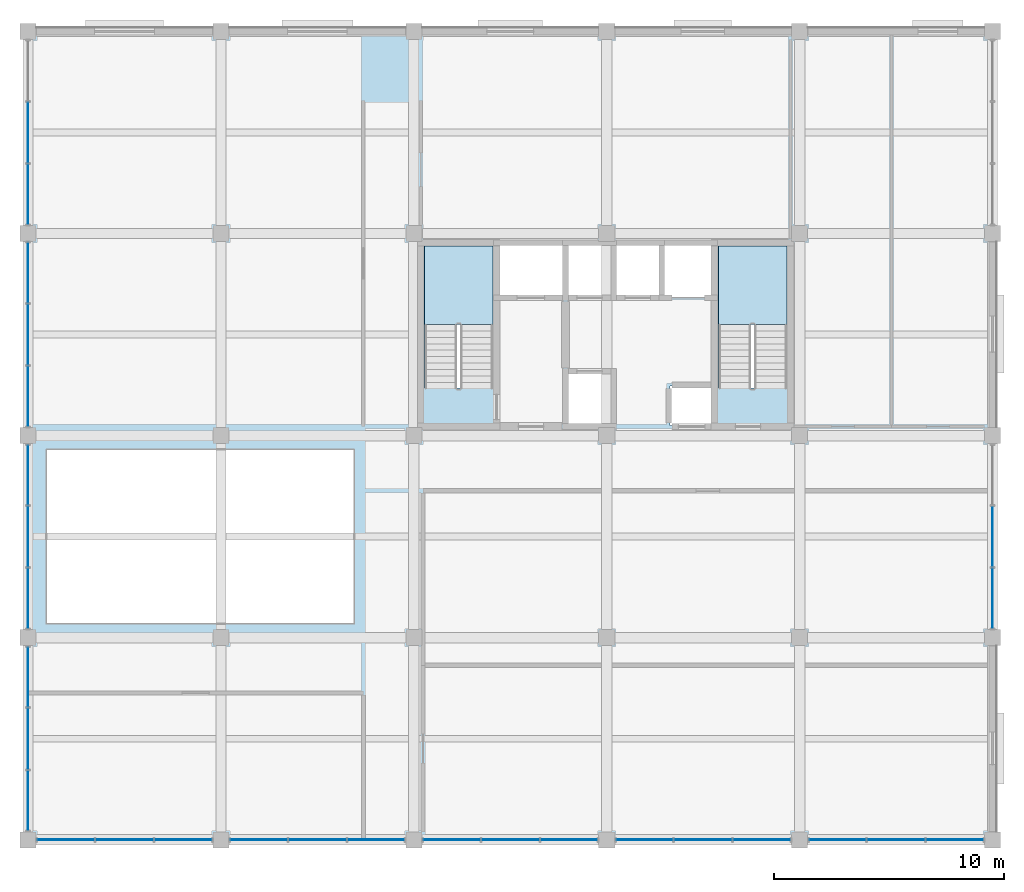
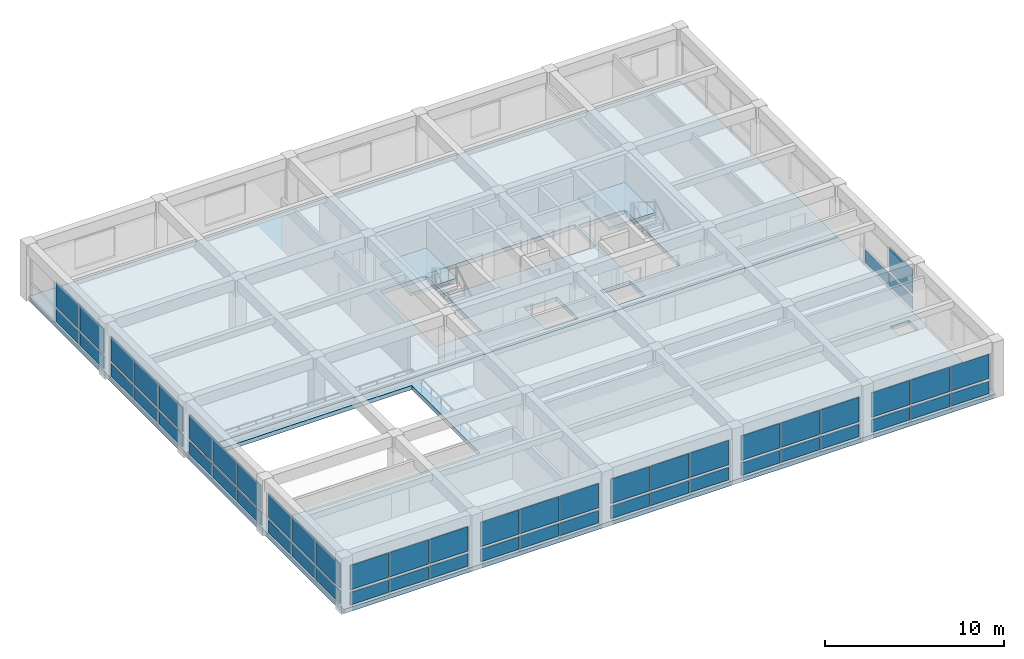
# One storey, part 8 of 13: 55 plates, 4 slabs, 12 elements without a shape of their own.
"""IFC4 building model written with IfcOpenShell, lengths in metres."""

from ifc_helpers import new_model, si_unit, direction, frame, origin, origin_2d, place, context, subcontext, project, spatial, polyline, rectangle, outline, extrude, material, layer, layer_set, type_object, element, aggregate, save


model = new_model("IFC4")

# Units and contexts
model_context = context("Model", 3, precision=1e-05, world=origin(), true_north=direction((0.0, 1.0)))
body_context = subcontext(model_context, "Body", "Model", "MODEL_VIEW")
ifc_project = project(units=[si_unit("LENGTHUNIT", "METRE"), si_unit("AREAUNIT", "SQUARE_METRE"), si_unit("VOLUMEUNIT", "CUBIC_METRE"), si_unit("PLANEANGLEUNIT", "RADIAN"), si_unit("MASSUNIT", "GRAM", prefix="KILO")], contexts=[model_context])

# Site, building, storey
site_placement = place(None, origin())
site = spatial("IfcSite", under=ifc_project, at=site_placement, CompositionType="ELEMENT")
building_placement = place(site_placement, origin())
building = spatial("IfcBuilding", under=site, at=building_placement, Name="Kemercrest Conservatory and Botanical Centre", CompositionType="ELEMENT")
storey_placement = place(building_placement, frame((0.0, 0.0, 40.60009765625)))
storey = spatial("IfcBuildingStorey", under=building, at=storey_placement, Name="L10", CompositionType="ELEMENT", Elevation=40.60009765625)

# Curtain wall, plates
ifc_material_1 = material(Name="Thermally broken aluminium and triple low-e glazing", Category="aluminium")
curtain_wall_type_1 = type_object("IfcCurtainWallType", Name="CW-22", PredefinedType="USERDEFINED", material=ifc_material_1)
curtain_wall_1_placement = place(storey_placement, origin())
curtain_wall_1 = element("IfcCurtainWall", 1, at=curtain_wall_1_placement, inside=storey, type_object=curtain_wall_type_1, Name="Unitised curtain wall CW-22 (CW:L10:V4-111)", ObjectType="UNITISED CURTAIN WALL", PredefinedType="USERDEFINED")
ifc_material_2 = material(Name="Triple low-e argon insulated glazing unit", Category="glass")
ifc_layer_1 = layer(ifc_material_2, 0.035888671875)
ifc_layer_set_1 = layer_set([ifc_layer_1], Name="Triple low-e argon insulated glazing unit")
plate_type = type_object("IfcPlateType", Name="CW-PNL036", PredefinedType="CURTAIN_PANEL", material=ifc_layer_set_1)
plate_1_placement = place(storey_placement, frame((135.646240234375, 87.199951171875, 0.179931640625), z_axis=(0.0, 0.0, 1.0), x_axis=(1.0, 0.0, 0.0)))
plate_1 = element("IfcPlate", 2, at=plate_1_placement, type_object=plate_type, Name="CW-22 panel 1.1", PredefinedType="CURTAIN_PANEL", context=body_context, shape_type="SweptSolid", body=[
    extrude(rectangle(XDim=2.472412109375, YDim=0.035888671875, at=origin_2d()), origin(), (0.0, 0.0, 1.0), 0.85009765625),
])
plate_2_placement = place(storey_placement, frame((135.646240234375, 87.199951171875, 1.2099609375), z_axis=(0.0, 0.0, 1.0), x_axis=(1.0, 0.0, 0.0)))
plate_2 = element("IfcPlate", 3, at=plate_2_placement, type_object=plate_type, Name="CW-22 panel 1.2", PredefinedType="CURTAIN_PANEL", context=body_context, shape_type="SweptSolid", body=[
    extrude(rectangle(XDim=2.472412109375, YDim=0.035888671875, at=origin_2d()), origin(), (0.0, 0.0, 1.0), 1.6650390625),
])
plate_3_placement = place(storey_placement, frame((138.199951171875, 87.199951171875, 0.179931640625), z_axis=(0.0, 0.0, 1.0), x_axis=(1.0, 0.0, 0.0)))
plate_3 = element("IfcPlate", 4, at=plate_3_placement, type_object=plate_type, Name="CW-22 panel 2.1", PredefinedType="CURTAIN_PANEL", context=body_context, shape_type="SweptSolid", body=[
    extrude(rectangle(XDim=2.5048828125, YDim=0.035888671875, at=origin_2d()), origin(), (0.0, 0.0, 1.0), 0.85009765625),
])
plate_4_placement = place(storey_placement, frame((138.199951171875, 87.199951171875, 1.2099609375), z_axis=(0.0, 0.0, 1.0), x_axis=(1.0, 0.0, 0.0)))
plate_4 = element("IfcPlate", 5, at=plate_4_placement, type_object=plate_type, Name="CW-22 panel 2.2", PredefinedType="CURTAIN_PANEL", context=body_context, shape_type="SweptSolid", body=[
    extrude(rectangle(XDim=2.5048828125, YDim=0.035888671875, at=origin_2d()), origin(), (0.0, 0.0, 1.0), 1.6650390625),
])
plate_5_placement = place(storey_placement, frame((140.753662109375, 87.199951171875, 0.179931640625), z_axis=(0.0, 0.0, 1.0), x_axis=(1.0, 0.0, 0.0)))
plate_5 = element("IfcPlate", 6, at=plate_5_placement, type_object=plate_type, Name="CW-22 panel 3.1", PredefinedType="CURTAIN_PANEL", context=body_context, shape_type="SweptSolid", body=[
    extrude(rectangle(XDim=2.472412109375, YDim=0.035888671875, at=origin_2d()), origin(), (0.0, 0.0, 1.0), 0.85009765625),
])
plate_6_placement = place(storey_placement, frame((140.753662109375, 87.199951171875, 1.2099609375), z_axis=(0.0, 0.0, 1.0), x_axis=(1.0, 0.0, 0.0)))
plate_6 = element("IfcPlate", 7, at=plate_6_placement, type_object=plate_type, Name="CW-22 panel 3.2", PredefinedType="CURTAIN_PANEL", context=body_context, shape_type="SweptSolid", body=[
    extrude(rectangle(XDim=2.472412109375, YDim=0.035888671875, at=origin_2d()), origin(), (0.0, 0.0, 1.0), 1.6650390625),
])
aggregate(curtain_wall_1, [plate_1, plate_2, plate_3, plate_4, plate_5, plate_6])

curtain_wall_type_2 = type_object("IfcCurtainWallType", Name="CW-23", PredefinedType="USERDEFINED", material=ifc_material_1)
curtain_wall_2_placement = place(storey_placement, origin())
curtain_wall_2 = element("IfcCurtainWall", 8, at=curtain_wall_2_placement, inside=storey, type_object=curtain_wall_type_2, Name="Unitised curtain wall CW-23 (CW:L10:V4-112)", ObjectType="UNITISED CURTAIN WALL", PredefinedType="USERDEFINED")
plate_7_placement = place(storey_placement, frame((144.046142578125, 87.199951171875, 0.179931640625), z_axis=(0.0, 0.0, 1.0), x_axis=(1.0, 0.0, 0.0)))
plate_7 = element("IfcPlate", 9, at=plate_7_placement, type_object=plate_type, Name="CW-23 panel 1.1", PredefinedType="CURTAIN_PANEL", context=body_context, shape_type="SweptSolid", body=[
    extrude(rectangle(XDim=2.472412109375, YDim=0.035888671875, at=origin_2d()), origin(), (0.0, 0.0, 1.0), 0.85009765625),
])
plate_8_placement = place(storey_placement, frame((144.046142578125, 87.199951171875, 1.2099609375), z_axis=(0.0, 0.0, 1.0), x_axis=(1.0, 0.0, 0.0)))
plate_8 = element("IfcPlate", 10, at=plate_8_placement, type_object=plate_type, Name="CW-23 panel 1.2", PredefinedType="CURTAIN_PANEL", context=body_context, shape_type="SweptSolid", body=[
    extrude(rectangle(XDim=2.472412109375, YDim=0.035888671875, at=origin_2d()), origin(), (0.0, 0.0, 1.0), 1.6650390625),
])
plate_9_placement = place(storey_placement, frame((146.60009765625, 87.199951171875, 0.179931640625), z_axis=(0.0, 0.0, 1.0), x_axis=(1.0, 0.0, 0.0)))
plate_9 = element("IfcPlate", 11, at=plate_9_placement, type_object=plate_type, Name="CW-23 panel 2.1", PredefinedType="CURTAIN_PANEL", context=body_context, shape_type="SweptSolid", body=[
    extrude(rectangle(XDim=2.5048828125, YDim=0.035888671875, at=origin_2d()), origin(), (0.0, 0.0, 1.0), 0.85009765625),
])
plate_10_placement = place(storey_placement, frame((146.60009765625, 87.199951171875, 1.2099609375), z_axis=(0.0, 0.0, 1.0), x_axis=(1.0, 0.0, 0.0)))
plate_10 = element("IfcPlate", 12, at=plate_10_placement, type_object=plate_type, Name="CW-23 panel 2.2", PredefinedType="CURTAIN_PANEL", context=body_context, shape_type="SweptSolid", body=[
    extrude(rectangle(XDim=2.5048828125, YDim=0.035888671875, at=origin_2d()), origin(), (0.0, 0.0, 1.0), 1.6650390625),
])
plate_11_placement = place(storey_placement, frame((149.15380859375, 87.199951171875, 0.179931640625), z_axis=(0.0, 0.0, 1.0), x_axis=(1.0, 0.0, 0.0)))
plate_11 = element("IfcPlate", 13, at=plate_11_placement, type_object=plate_type, Name="CW-23 panel 3.1", PredefinedType="CURTAIN_PANEL", context=body_context, shape_type="SweptSolid", body=[
    extrude(rectangle(XDim=2.472412109375, YDim=0.035888671875, at=origin_2d()), origin(), (0.0, 0.0, 1.0), 0.85009765625),
])
plate_12_placement = place(storey_placement, frame((149.15380859375, 87.199951171875, 1.2099609375), z_axis=(0.0, 0.0, 1.0), x_axis=(1.0, 0.0, 0.0)))
plate_12 = element("IfcPlate", 14, at=plate_12_placement, type_object=plate_type, Name="CW-23 panel 3.2", PredefinedType="CURTAIN_PANEL", context=body_context, shape_type="SweptSolid", body=[
    extrude(rectangle(XDim=2.472412109375, YDim=0.035888671875, at=origin_2d()), origin(), (0.0, 0.0, 1.0), 1.6650390625),
])
aggregate(curtain_wall_2, [plate_7, plate_8, plate_9, plate_10, plate_11, plate_12])

curtain_wall_type_3 = type_object("IfcCurtainWallType", Name="CW-24", PredefinedType="USERDEFINED", material=ifc_material_1)
curtain_wall_3_placement = place(storey_placement, origin())
curtain_wall_3 = element("IfcCurtainWall", 15, at=curtain_wall_3_placement, inside=storey, type_object=curtain_wall_type_3, Name="Unitised curtain wall CW-24 (CW:L10:V4-113)", ObjectType="UNITISED CURTAIN WALL", PredefinedType="USERDEFINED")
plate_13_placement = place(storey_placement, frame((152.4462890625, 87.199951171875, 0.179931640625), z_axis=(0.0, 0.0, 1.0), x_axis=(1.0, 0.0, 0.0)))
plate_13 = element("IfcPlate", 16, at=plate_13_placement, type_object=plate_type, Name="CW-24 panel 1.1", PredefinedType="CURTAIN_PANEL", context=body_context, shape_type="SweptSolid", body=[
    extrude(rectangle(XDim=2.472412109375, YDim=0.035888671875, at=origin_2d()), origin(), (0.0, 0.0, 1.0), 0.85009765625),
])
plate_14_placement = place(storey_placement, frame((152.4462890625, 87.199951171875, 1.2099609375), z_axis=(0.0, 0.0, 1.0), x_axis=(1.0, 0.0, 0.0)))
plate_14 = element("IfcPlate", 17, at=plate_14_placement, type_object=plate_type, Name="CW-24 panel 1.2", PredefinedType="CURTAIN_PANEL", context=body_context, shape_type="SweptSolid", body=[
    extrude(rectangle(XDim=2.472412109375, YDim=0.035888671875, at=origin_2d()), origin(), (0.0, 0.0, 1.0), 1.6650390625),
])
plate_15_placement = place(storey_placement, frame((155.0, 87.199951171875, 0.179931640625), z_axis=(0.0, 0.0, 1.0), x_axis=(1.0, 0.0, 0.0)))
plate_15 = element("IfcPlate", 18, at=plate_15_placement, type_object=plate_type, Name="CW-24 panel 2.1", PredefinedType="CURTAIN_PANEL", context=body_context, shape_type="SweptSolid", body=[
    extrude(rectangle(XDim=2.5048828125, YDim=0.035888671875, at=origin_2d()), origin(), (0.0, 0.0, 1.0), 0.85009765625),
])
plate_16_placement = place(storey_placement, frame((155.0, 87.199951171875, 1.2099609375), z_axis=(0.0, 0.0, 1.0), x_axis=(1.0, 0.0, 0.0)))
plate_16 = element("IfcPlate", 19, at=plate_16_placement, type_object=plate_type, Name="CW-24 panel 2.2", PredefinedType="CURTAIN_PANEL", context=body_context, shape_type="SweptSolid", body=[
    extrude(rectangle(XDim=2.5048828125, YDim=0.035888671875, at=origin_2d()), origin(), (0.0, 0.0, 1.0), 1.6650390625),
])
plate_17_placement = place(storey_placement, frame((157.5537109375, 87.199951171875, 0.179931640625), z_axis=(0.0, 0.0, 1.0), x_axis=(1.0, 0.0, 0.0)))
plate_17 = element("IfcPlate", 20, at=plate_17_placement, type_object=plate_type, Name="CW-24 panel 3.1", PredefinedType="CURTAIN_PANEL", context=body_context, shape_type="SweptSolid", body=[
    extrude(rectangle(XDim=2.472412109375, YDim=0.035888671875, at=origin_2d()), origin(), (0.0, 0.0, 1.0), 0.85009765625),
])
plate_18_placement = place(storey_placement, frame((157.5537109375, 87.199951171875, 1.2099609375), z_axis=(0.0, 0.0, 1.0), x_axis=(1.0, 0.0, 0.0)))
plate_18 = element("IfcPlate", 21, at=plate_18_placement, type_object=plate_type, Name="CW-24 panel 3.2", PredefinedType="CURTAIN_PANEL", context=body_context, shape_type="SweptSolid", body=[
    extrude(rectangle(XDim=2.472412109375, YDim=0.035888671875, at=origin_2d()), origin(), (0.0, 0.0, 1.0), 1.6650390625),
])
aggregate(curtain_wall_3, [plate_13, plate_14, plate_15, plate_16, plate_17, plate_18])

curtain_wall_type_4 = type_object("IfcCurtainWallType", Name="CW-25", PredefinedType="USERDEFINED", material=ifc_material_1)
curtain_wall_4_placement = place(storey_placement, origin())
curtain_wall_4 = element("IfcCurtainWall", 22, at=curtain_wall_4_placement, inside=storey, type_object=curtain_wall_type_4, Name="Unitised curtain wall CW-25 (CW:L10:V4-114)", ObjectType="UNITISED CURTAIN WALL", PredefinedType="USERDEFINED")
plate_19_placement = place(storey_placement, frame((160.84619140625, 87.199951171875, 0.179931640625), z_axis=(0.0, 0.0, 1.0), x_axis=(1.0, 0.0, 0.0)))
plate_19 = element("IfcPlate", 23, at=plate_19_placement, type_object=plate_type, Name="CW-25 panel 1.1", PredefinedType="CURTAIN_PANEL", context=body_context, shape_type="SweptSolid", body=[
    extrude(rectangle(XDim=2.472412109375, YDim=0.035888671875, at=origin_2d()), origin(), (0.0, 0.0, 1.0), 0.85009765625),
])
plate_20_placement = place(storey_placement, frame((160.84619140625, 87.199951171875, 1.2099609375), z_axis=(0.0, 0.0, 1.0), x_axis=(1.0, 0.0, 0.0)))
plate_20 = element("IfcPlate", 24, at=plate_20_placement, type_object=plate_type, Name="CW-25 panel 1.2", PredefinedType="CURTAIN_PANEL", context=body_context, shape_type="SweptSolid", body=[
    extrude(rectangle(XDim=2.472412109375, YDim=0.035888671875, at=origin_2d()), origin(), (0.0, 0.0, 1.0), 1.6650390625),
])
plate_21_placement = place(storey_placement, frame((163.39990234375, 87.199951171875, 0.179931640625), z_axis=(0.0, 0.0, 1.0), x_axis=(1.0, 0.0, 0.0)))
plate_21 = element("IfcPlate", 25, at=plate_21_placement, type_object=plate_type, Name="CW-25 panel 2.1", PredefinedType="CURTAIN_PANEL", context=body_context, shape_type="SweptSolid", body=[
    extrude(rectangle(XDim=2.5048828125, YDim=0.035888671875, at=origin_2d()), origin(), (0.0, 0.0, 1.0), 0.85009765625),
])
plate_22_placement = place(storey_placement, frame((163.39990234375, 87.199951171875, 1.2099609375), z_axis=(0.0, 0.0, 1.0), x_axis=(1.0, 0.0, 0.0)))
plate_22 = element("IfcPlate", 26, at=plate_22_placement, type_object=plate_type, Name="CW-25 panel 2.2", PredefinedType="CURTAIN_PANEL", context=body_context, shape_type="SweptSolid", body=[
    extrude(rectangle(XDim=2.5048828125, YDim=0.035888671875, at=origin_2d()), origin(), (0.0, 0.0, 1.0), 1.6650390625),
])
plate_23_placement = place(storey_placement, frame((165.953857421875, 87.199951171875, 0.179931640625), z_axis=(0.0, 0.0, 1.0), x_axis=(1.0, 0.0, 0.0)))
plate_23 = element("IfcPlate", 27, at=plate_23_placement, type_object=plate_type, Name="CW-25 panel 3.1", PredefinedType="CURTAIN_PANEL", context=body_context, shape_type="SweptSolid", body=[
    extrude(rectangle(XDim=2.472412109375, YDim=0.035888671875, at=origin_2d()), origin(), (0.0, 0.0, 1.0), 0.85009765625),
])
plate_24_placement = place(storey_placement, frame((165.953857421875, 87.199951171875, 1.2099609375), z_axis=(0.0, 0.0, 1.0), x_axis=(1.0, 0.0, 0.0)))
plate_24 = element("IfcPlate", 28, at=plate_24_placement, type_object=plate_type, Name="CW-25 panel 3.2", PredefinedType="CURTAIN_PANEL", context=body_context, shape_type="SweptSolid", body=[
    extrude(rectangle(XDim=2.472412109375, YDim=0.035888671875, at=origin_2d()), origin(), (0.0, 0.0, 1.0), 1.6650390625),
])
aggregate(curtain_wall_4, [plate_19, plate_20, plate_21, plate_22, plate_23, plate_24])

curtain_wall_type_5 = type_object("IfcCurtainWallType", Name="CW-26", PredefinedType="USERDEFINED", material=ifc_material_1)
curtain_wall_5_placement = place(storey_placement, origin())
curtain_wall_5 = element("IfcCurtainWall", 29, at=curtain_wall_5_placement, inside=storey, type_object=curtain_wall_type_5, Name="Unitised curtain wall CW-26 (CW:L10:V4-115)", ObjectType="UNITISED CURTAIN WALL", PredefinedType="USERDEFINED")
plate_25_placement = place(storey_placement, frame((169.246337890625, 87.199951171875, 0.179931640625), z_axis=(0.0, 0.0, 1.0), x_axis=(1.0, 0.0, 0.0)))
plate_25 = element("IfcPlate", 30, at=plate_25_placement, type_object=plate_type, Name="CW-26 panel 1.1", PredefinedType="CURTAIN_PANEL", context=body_context, shape_type="SweptSolid", body=[
    extrude(rectangle(XDim=2.472412109375, YDim=0.035888671875, at=origin_2d()), origin(), (0.0, 0.0, 1.0), 0.85009765625),
])
plate_26_placement = place(storey_placement, frame((169.246337890625, 87.199951171875, 1.2099609375), z_axis=(0.0, 0.0, 1.0), x_axis=(1.0, 0.0, 0.0)))
plate_26 = element("IfcPlate", 31, at=plate_26_placement, type_object=plate_type, Name="CW-26 panel 1.2", PredefinedType="CURTAIN_PANEL", context=body_context, shape_type="SweptSolid", body=[
    extrude(rectangle(XDim=2.472412109375, YDim=0.035888671875, at=origin_2d()), origin(), (0.0, 0.0, 1.0), 1.6650390625),
])
plate_27_placement = place(storey_placement, frame((171.800048828125, 87.199951171875, 0.179931640625), z_axis=(0.0, 0.0, 1.0), x_axis=(1.0, 0.0, 0.0)))
plate_27 = element("IfcPlate", 32, at=plate_27_placement, type_object=plate_type, Name="CW-26 panel 2.1", PredefinedType="CURTAIN_PANEL", context=body_context, shape_type="SweptSolid", body=[
    extrude(rectangle(XDim=2.5048828125, YDim=0.035888671875, at=origin_2d()), origin(), (0.0, 0.0, 1.0), 0.85009765625),
])
plate_28_placement = place(storey_placement, frame((171.800048828125, 87.199951171875, 1.2099609375), z_axis=(0.0, 0.0, 1.0), x_axis=(1.0, 0.0, 0.0)))
plate_28 = element("IfcPlate", 33, at=plate_28_placement, type_object=plate_type, Name="CW-26 panel 2.2", PredefinedType="CURTAIN_PANEL", context=body_context, shape_type="SweptSolid", body=[
    extrude(rectangle(XDim=2.5048828125, YDim=0.035888671875, at=origin_2d()), origin(), (0.0, 0.0, 1.0), 1.6650390625),
])
plate_29_placement = place(storey_placement, frame((174.353759765625, 87.199951171875, 0.179931640625), z_axis=(0.0, 0.0, 1.0), x_axis=(1.0, 0.0, 0.0)))
plate_29 = element("IfcPlate", 34, at=plate_29_placement, type_object=plate_type, Name="CW-26 panel 3.1", PredefinedType="CURTAIN_PANEL", context=body_context, shape_type="SweptSolid", body=[
    extrude(rectangle(XDim=2.472412109375, YDim=0.035888671875, at=origin_2d()), origin(), (0.0, 0.0, 1.0), 0.85009765625),
])
plate_30_placement = place(storey_placement, frame((174.353759765625, 87.199951171875, 1.2099609375), z_axis=(0.0, 0.0, 1.0), x_axis=(1.0, 0.0, 0.0)))
plate_30 = element("IfcPlate", 35, at=plate_30_placement, type_object=plate_type, Name="CW-26 panel 3.2", PredefinedType="CURTAIN_PANEL", context=body_context, shape_type="SweptSolid", body=[
    extrude(rectangle(XDim=2.472412109375, YDim=0.035888671875, at=origin_2d()), origin(), (0.0, 0.0, 1.0), 1.6650390625),
])
aggregate(curtain_wall_5, [plate_25, plate_26, plate_27, plate_28, plate_29, plate_30])

curtain_wall_type_6 = type_object("IfcCurtainWallType", Name="CW-27", PredefinedType="USERDEFINED", material=ifc_material_1)
curtain_wall_6_placement = place(storey_placement, origin())
curtain_wall_6 = element("IfcCurtainWall", 36, at=curtain_wall_6_placement, inside=storey, type_object=curtain_wall_type_6, Name="Unitised curtain wall CW-27 (CW:L10:V4-116)", ObjectType="UNITISED CURTAIN WALL", PredefinedType="USERDEFINED")
plate_31_placement = place(storey_placement, frame((176.0, 97.712890625, 0.179931640625), z_axis=(0.0, 0.0, 1.0), x_axis=(0.0, 1.0, 0.0)))
plate_31 = element("IfcPlate", 37, at=plate_31_placement, type_object=plate_type, Name="CW-27 panel 1.1", PredefinedType="CURTAIN_PANEL", context=body_context, shape_type="SweptSolid", body=[
    extrude(rectangle(XDim=2.605712890625, YDim=0.035888671875, at=origin_2d()), origin(), (0.0, 0.0, 1.0), 0.85009765625),
])
plate_32_placement = place(storey_placement, frame((176.0, 97.712890625, 1.2099609375), z_axis=(0.0, 0.0, 1.0), x_axis=(0.0, 1.0, 0.0)))
plate_32 = element("IfcPlate", 38, at=plate_32_placement, type_object=plate_type, Name="CW-27 panel 1.2", PredefinedType="CURTAIN_PANEL", context=body_context, shape_type="SweptSolid", body=[
    extrude(rectangle(XDim=2.605712890625, YDim=0.035888671875, at=origin_2d()), origin(), (0.0, 0.0, 1.0), 1.6650390625),
])
plate_33_placement = place(storey_placement, frame((176.0, 100.39990234375, 0.179931640625), z_axis=(0.0, 0.0, 1.0), x_axis=(0.0, 1.0, 0.0)))
plate_33 = element("IfcPlate", 39, at=plate_33_placement, type_object=plate_type, Name="CW-27 panel 2.1", PredefinedType="CURTAIN_PANEL", context=body_context, shape_type="SweptSolid", body=[
    extrude(rectangle(XDim=2.638427734375, YDim=0.035888671875, at=origin_2d()), origin(), (0.0, 0.0, 1.0), 0.85009765625),
])
aggregate(curtain_wall_6, [plate_31, plate_32, plate_33])

curtain_wall_type_7 = type_object("IfcCurtainWallType", Name="CW-29", PredefinedType="USERDEFINED", material=ifc_material_1)
curtain_wall_7_placement = place(storey_placement, origin())
curtain_wall_7 = element("IfcCurtainWall", 40, at=curtain_wall_7_placement, inside=storey, type_object=curtain_wall_type_7, Name="Unitised curtain wall CW-29 (CW:L10:V4-118)", ObjectType="UNITISED CURTAIN WALL", PredefinedType="USERDEFINED")
plate_34_placement = place(storey_placement, frame((134.0, 118.0, 0.179931640625), z_axis=(0.0, 0.0, 1.0), x_axis=(0.0, -1.0, 0.0)))
plate_34 = element("IfcPlate", 41, at=plate_34_placement, type_object=plate_type, Name="CW-29 panel 2.1", PredefinedType="CURTAIN_PANEL", context=body_context, shape_type="SweptSolid", body=[
    extrude(rectangle(XDim=2.638427734375, YDim=0.035888671875, at=origin_2d()), origin(), (0.0, 0.0, 1.0), 0.85009765625),
])
plate_35_placement = place(storey_placement, frame((134.0, 118.0, 1.2099609375), z_axis=(0.0, 0.0, 1.0), x_axis=(0.0, -1.0, 0.0)))
plate_35 = element("IfcPlate", 42, at=plate_35_placement, type_object=plate_type, Name="CW-29 panel 2.2", PredefinedType="CURTAIN_PANEL", context=body_context, shape_type="SweptSolid", body=[
    extrude(rectangle(XDim=2.638427734375, YDim=0.035888671875, at=origin_2d()), origin(), (0.0, 0.0, 1.0), 1.6650390625),
])
plate_36_placement = place(storey_placement, frame((134.0, 115.31298828125, 0.179931640625), z_axis=(0.0, 0.0, 1.0), x_axis=(0.0, -1.0, 0.0)))
plate_36 = element("IfcPlate", 43, at=plate_36_placement, type_object=plate_type, Name="CW-29 panel 3.1", PredefinedType="CURTAIN_PANEL", context=body_context, shape_type="SweptSolid", body=[
    extrude(rectangle(XDim=2.605712890625, YDim=0.035888671875, at=origin_2d()), origin(), (0.0, 0.0, 1.0), 0.85009765625),
])
plate_37_placement = place(storey_placement, frame((134.0, 115.31298828125, 1.2099609375), z_axis=(0.0, 0.0, 1.0), x_axis=(0.0, -1.0, 0.0)))
plate_37 = element("IfcPlate", 44, at=plate_37_placement, type_object=plate_type, Name="CW-29 panel 3.2", PredefinedType="CURTAIN_PANEL", context=body_context, shape_type="SweptSolid", body=[
    extrude(rectangle(XDim=2.605712890625, YDim=0.035888671875, at=origin_2d()), origin(), (0.0, 0.0, 1.0), 1.6650390625),
])
aggregate(curtain_wall_7, [plate_34, plate_35, plate_36, plate_37])

curtain_wall_type_8 = type_object("IfcCurtainWallType", Name="CW-30", PredefinedType="USERDEFINED", material=ifc_material_1)
curtain_wall_8_placement = place(storey_placement, origin())
curtain_wall_8 = element("IfcCurtainWall", 45, at=curtain_wall_8_placement, inside=storey, type_object=curtain_wall_type_8, Name="Unitised curtain wall CW-30 (CW:L10:V4-119)", ObjectType="UNITISED CURTAIN WALL", PredefinedType="USERDEFINED")
plate_38_placement = place(storey_placement, frame((134.0, 111.886962890625, 0.179931640625), z_axis=(0.0, 0.0, 1.0), x_axis=(0.0, -1.0, 0.0)))
plate_38 = element("IfcPlate", 46, at=plate_38_placement, type_object=plate_type, Name="CW-30 panel 1.1", PredefinedType="CURTAIN_PANEL", context=body_context, shape_type="SweptSolid", body=[
    extrude(rectangle(XDim=2.605712890625, YDim=0.035888671875, at=origin_2d()), origin(), (0.0, 0.0, 1.0), 0.85009765625),
])
plate_39_placement = place(storey_placement, frame((134.0, 111.886962890625, 1.2099609375), z_axis=(0.0, 0.0, 1.0), x_axis=(0.0, -1.0, 0.0)))
plate_39 = element("IfcPlate", 47, at=plate_39_placement, type_object=plate_type, Name="CW-30 panel 1.2", PredefinedType="CURTAIN_PANEL", context=body_context, shape_type="SweptSolid", body=[
    extrude(rectangle(XDim=2.605712890625, YDim=0.035888671875, at=origin_2d()), origin(), (0.0, 0.0, 1.0), 1.6650390625),
])
plate_40_placement = place(storey_placement, frame((134.0, 109.199951171875, 0.179931640625), z_axis=(0.0, 0.0, 1.0), x_axis=(0.0, -1.0, 0.0)))
plate_40 = element("IfcPlate", 48, at=plate_40_placement, type_object=plate_type, Name="CW-30 panel 2.1", PredefinedType="CURTAIN_PANEL", context=body_context, shape_type="SweptSolid", body=[
    extrude(rectangle(XDim=2.638427734375, YDim=0.035888671875, at=origin_2d()), origin(), (0.0, 0.0, 1.0), 0.85009765625),
])
plate_41_placement = place(storey_placement, frame((134.0, 109.199951171875, 1.2099609375), z_axis=(0.0, 0.0, 1.0), x_axis=(0.0, -1.0, 0.0)))
plate_41 = element("IfcPlate", 49, at=plate_41_placement, type_object=plate_type, Name="CW-30 panel 2.2", PredefinedType="CURTAIN_PANEL", context=body_context, shape_type="SweptSolid", body=[
    extrude(rectangle(XDim=2.638427734375, YDim=0.035888671875, at=origin_2d()), origin(), (0.0, 0.0, 1.0), 1.6650390625),
])
plate_42_placement = place(storey_placement, frame((134.0, 106.512939453125, 0.179931640625), z_axis=(0.0, 0.0, 1.0), x_axis=(0.0, -1.0, 0.0)))
plate_42 = element("IfcPlate", 50, at=plate_42_placement, type_object=plate_type, Name="CW-30 panel 3.1", PredefinedType="CURTAIN_PANEL", context=body_context, shape_type="SweptSolid", body=[
    extrude(rectangle(XDim=2.605712890625, YDim=0.035888671875, at=origin_2d()), origin(), (0.0, 0.0, 1.0), 0.85009765625),
])
plate_43_placement = place(storey_placement, frame((134.0, 106.512939453125, 1.2099609375), z_axis=(0.0, 0.0, 1.0), x_axis=(0.0, -1.0, 0.0)))
plate_43 = element("IfcPlate", 51, at=plate_43_placement, type_object=plate_type, Name="CW-30 panel 3.2", PredefinedType="CURTAIN_PANEL", context=body_context, shape_type="SweptSolid", body=[
    extrude(rectangle(XDim=2.605712890625, YDim=0.035888671875, at=origin_2d()), origin(), (0.0, 0.0, 1.0), 1.6650390625),
])
aggregate(curtain_wall_8, [plate_38, plate_39, plate_40, plate_41, plate_42, plate_43])

curtain_wall_type_9 = type_object("IfcCurtainWallType", Name="CW-01", PredefinedType="USERDEFINED", material=ifc_material_1)
curtain_wall_9_placement = place(storey_placement, origin())
curtain_wall_9 = element("IfcCurtainWall", 52, at=curtain_wall_9_placement, inside=storey, type_object=curtain_wall_type_9, Name="Unitised curtain wall CW-01 (CW:L10:V4-120)", ObjectType="UNITISED CURTAIN WALL", PredefinedType="USERDEFINED")
plate_44_placement = place(storey_placement, frame((134.0, 103.087158203125, 0.179931640625), z_axis=(0.0, 0.0, 1.0), x_axis=(0.0, -1.0, 0.0)))
plate_44 = element("IfcPlate", 53, at=plate_44_placement, type_object=plate_type, Name="CW-01 panel 1.1", PredefinedType="CURTAIN_PANEL", context=body_context, shape_type="SweptSolid", body=[
    extrude(rectangle(XDim=2.605712890625, YDim=0.035888671875, at=origin_2d()), origin(), (0.0, 0.0, 1.0), 0.85009765625),
])
plate_45_placement = place(storey_placement, frame((134.0, 103.087158203125, 1.2099609375), z_axis=(0.0, 0.0, 1.0), x_axis=(0.0, -1.0, 0.0)))
plate_45 = element("IfcPlate", 54, at=plate_45_placement, type_object=plate_type, Name="CW-01 panel 1.2", PredefinedType="CURTAIN_PANEL", context=body_context, shape_type="SweptSolid", body=[
    extrude(rectangle(XDim=2.605712890625, YDim=0.035888671875, at=origin_2d()), origin(), (0.0, 0.0, 1.0), 1.6650390625),
])
plate_46_placement = place(storey_placement, frame((134.0, 100.39990234375, 0.179931640625), z_axis=(0.0, 0.0, 1.0), x_axis=(0.0, -1.0, 0.0)))
plate_46 = element("IfcPlate", 55, at=plate_46_placement, type_object=plate_type, Name="CW-01 panel 2.1", PredefinedType="CURTAIN_PANEL", context=body_context, shape_type="SweptSolid", body=[
    extrude(rectangle(XDim=2.638427734375, YDim=0.035888671875, at=origin_2d()), origin(), (0.0, 0.0, 1.0), 0.85009765625),
])
plate_47_placement = place(storey_placement, frame((134.0, 100.39990234375, 1.2099609375), z_axis=(0.0, 0.0, 1.0), x_axis=(0.0, -1.0, 0.0)))
plate_47 = element("IfcPlate", 56, at=plate_47_placement, type_object=plate_type, Name="CW-01 panel 2.2", PredefinedType="CURTAIN_PANEL", context=body_context, shape_type="SweptSolid", body=[
    extrude(rectangle(XDim=2.638427734375, YDim=0.035888671875, at=origin_2d()), origin(), (0.0, 0.0, 1.0), 1.6650390625),
])
plate_48_placement = place(storey_placement, frame((134.0, 97.712890625, 0.179931640625), z_axis=(0.0, 0.0, 1.0), x_axis=(0.0, -1.0, 0.0)))
plate_48 = element("IfcPlate", 57, at=plate_48_placement, type_object=plate_type, Name="CW-01 panel 3.1", PredefinedType="CURTAIN_PANEL", context=body_context, shape_type="SweptSolid", body=[
    extrude(rectangle(XDim=2.605712890625, YDim=0.035888671875, at=origin_2d()), origin(), (0.0, 0.0, 1.0), 0.85009765625),
])
plate_49_placement = place(storey_placement, frame((134.0, 97.712890625, 1.2099609375), z_axis=(0.0, 0.0, 1.0), x_axis=(0.0, -1.0, 0.0)))
plate_49 = element("IfcPlate", 58, at=plate_49_placement, type_object=plate_type, Name="CW-01 panel 3.2", PredefinedType="CURTAIN_PANEL", context=body_context, shape_type="SweptSolid", body=[
    extrude(rectangle(XDim=2.605712890625, YDim=0.035888671875, at=origin_2d()), origin(), (0.0, 0.0, 1.0), 1.6650390625),
])
aggregate(curtain_wall_9, [plate_44, plate_45, plate_46, plate_47, plate_48, plate_49])

curtain_wall_type_10 = type_object("IfcCurtainWallType", Name="CW-02", PredefinedType="USERDEFINED", material=ifc_material_1)
curtain_wall_10_placement = place(storey_placement, origin())
curtain_wall_10 = element("IfcCurtainWall", 59, at=curtain_wall_10_placement, inside=storey, type_object=curtain_wall_type_10, Name="Unitised curtain wall CW-02 (CW:L10:V4-121)", ObjectType="UNITISED CURTAIN WALL", PredefinedType="USERDEFINED")
plate_50_placement = place(storey_placement, frame((134.0, 94.287109375, 0.179931640625), z_axis=(0.0, 0.0, 1.0), x_axis=(0.0, -1.0, 0.0)))
plate_50 = element("IfcPlate", 60, at=plate_50_placement, type_object=plate_type, Name="CW-02 panel 1.1", PredefinedType="CURTAIN_PANEL", context=body_context, shape_type="SweptSolid", body=[
    extrude(rectangle(XDim=2.605712890625, YDim=0.035888671875, at=origin_2d()), origin(), (0.0, 0.0, 1.0), 0.85009765625),
])
plate_51_placement = place(storey_placement, frame((134.0, 94.287109375, 1.2099609375), z_axis=(0.0, 0.0, 1.0), x_axis=(0.0, -1.0, 0.0)))
plate_51 = element("IfcPlate", 61, at=plate_51_placement, type_object=plate_type, Name="CW-02 panel 1.2", PredefinedType="CURTAIN_PANEL", context=body_context, shape_type="SweptSolid", body=[
    extrude(rectangle(XDim=2.605712890625, YDim=0.035888671875, at=origin_2d()), origin(), (0.0, 0.0, 1.0), 1.6650390625),
])
plate_52_placement = place(storey_placement, frame((134.0, 91.60009765625, 0.179931640625), z_axis=(0.0, 0.0, 1.0), x_axis=(0.0, -1.0, 0.0)))
plate_52 = element("IfcPlate", 62, at=plate_52_placement, type_object=plate_type, Name="CW-02 panel 2.1", PredefinedType="CURTAIN_PANEL", context=body_context, shape_type="SweptSolid", body=[
    extrude(rectangle(XDim=2.638427734375, YDim=0.035888671875, at=origin_2d()), origin(), (0.0, 0.0, 1.0), 0.85009765625),
])
plate_53_placement = place(storey_placement, frame((134.0, 91.60009765625, 1.2099609375), z_axis=(0.0, 0.0, 1.0), x_axis=(0.0, -1.0, 0.0)))
plate_53 = element("IfcPlate", 63, at=plate_53_placement, type_object=plate_type, Name="CW-02 panel 2.2", PredefinedType="CURTAIN_PANEL", context=body_context, shape_type="SweptSolid", body=[
    extrude(rectangle(XDim=2.638427734375, YDim=0.035888671875, at=origin_2d()), origin(), (0.0, 0.0, 1.0), 1.6650390625),
])
plate_54_placement = place(storey_placement, frame((134.0, 88.912841796875, 0.179931640625), z_axis=(0.0, 0.0, 1.0), x_axis=(0.0, -1.0, 0.0)))
plate_54 = element("IfcPlate", 64, at=plate_54_placement, type_object=plate_type, Name="CW-02 panel 3.1", PredefinedType="CURTAIN_PANEL", context=body_context, shape_type="SweptSolid", body=[
    extrude(rectangle(XDim=2.605712890625, YDim=0.035888671875, at=origin_2d()), origin(), (0.0, 0.0, 1.0), 0.85009765625),
])
plate_55_placement = place(storey_placement, frame((134.0, 88.912841796875, 1.2099609375), z_axis=(0.0, 0.0, 1.0), x_axis=(0.0, -1.0, 0.0)))
plate_55 = element("IfcPlate", 65, at=plate_55_placement, type_object=plate_type, Name="CW-02 panel 3.2", PredefinedType="CURTAIN_PANEL", context=body_context, shape_type="SweptSolid", body=[
    extrude(rectangle(XDim=2.605712890625, YDim=0.035888671875, at=origin_2d()), origin(), (0.0, 0.0, 1.0), 1.6650390625),
])
aggregate(curtain_wall_10, [plate_50, plate_51, plate_52, plate_53, plate_54, plate_55])

# Slabs
ifc_material_3 = material(Name="Concrete C40/50", Category="concrete")
ifc_layer_2 = layer(ifc_material_3, 0.280029296875)
ifc_layer_set_2 = layer_set([ifc_layer_2], Name="Concrete C40/50")
slab_type_1 = type_object("IfcSlabType", Name="SL-FL280", PredefinedType="FLOOR", material=ifc_layer_set_2)
slab_1_placement = place(storey_placement, frame((0.0, 0.0, -0.280029296875)))
element("IfcSlab", 66, at=slab_1_placement, inside=storey, type_object=slab_type_1, Name="V4 Tower L10 North Core and Studio Slab", PredefinedType="FLOOR", context=body_context, shape_type="SweptSolid", body=[
    extrude(outline(polyline([(134.0, 122.39990234375), (134.0, 104.800048828125), (176.0, 104.800048828125), (176.0, 122.39990234375), (134.0, 122.39990234375)]), holes=[polyline([(164.06005859375, 106.864990234375), (164.06005859375, 113.06005859375), (167.0400390625, 113.06005859375), (167.0400390625, 106.864990234375), (164.06005859375, 106.864990234375)]), polyline([(154.39990234375, 110.800048828125), (154.39990234375, 113.199951171875), (163.89990234375, 113.199951171875), (163.89990234375, 110.800048828125), (154.39990234375, 110.800048828125)]), polyline([(161.949951171875, 105.25), (161.949951171875, 106.949951171875), (163.85009765625, 106.949951171875), (163.85009765625, 105.25), (161.949951171875, 105.25)]), polyline([(157.39990234375, 105.199951171875), (157.39990234375, 107.60009765625), (159.5, 107.60009765625), (159.5, 105.199951171875), (157.39990234375, 105.199951171875)]), polyline([(154.239990234375, 106.864990234375), (151.260009765625, 106.864990234375), (151.260009765625, 113.06005859375), (154.239990234375, 113.06005859375), (154.239990234375, 106.864990234375)])]), origin(), (0.0, 0.0, 1.0), 0.280029296875),
])
slab_2_placement = place(storey_placement, frame((0.0, 0.0, -0.280029296875)))
element("IfcSlab", 67, at=slab_2_placement, inside=storey, type_object=slab_type_1, Name="V4 Tower L10 South Laboratory Slab", PredefinedType="FLOOR", context=body_context, shape_type="SweptSolid", body=[
    extrude(outline(polyline([(134.0, 104.800048828125), (134.0, 87.199951171875), (176.0, 87.199951171875), (176.0, 104.800048828125), (134.0, 104.800048828125)]), holes=[polyline([(174.199951171875, 95.800048828125), (175.39990234375, 95.800048828125), (175.39990234375, 94.800048828125), (174.199951171875, 94.800048828125), (174.199951171875, 95.800048828125)]), polyline([(134.800048828125, 104.199951171875), (148.199951171875, 104.199951171875), (148.199951171875, 96.60009765625), (134.800048828125, 96.60009765625), (134.800048828125, 104.199951171875)])]), origin(), (0.0, 0.0, 1.0), 0.280029296875),
])

# Stair, slab
stair_type = type_object("IfcStairType", Name="ST-142-38", PredefinedType="HALF_TURN_STAIR", material=ifc_material_3)
stair_1_placement = place(storey_placement, origin())
stair_1 = element("IfcStair", 68, at=stair_1_placement, inside=storey, type_object=stair_type, Name="L10 Exit stair ST-V4A", PredefinedType="HALF_TURN_STAIR")
ifc_layer_3 = layer(ifc_material_3, 0.199951171875)
ifc_layer_set_3 = layer_set([ifc_layer_3], Name="Concrete C40/50")
slab_type_2 = type_object("IfcSlabType", Name="SL-LND200", PredefinedType="LANDING", material=ifc_layer_set_3)
slab_3_placement = place(storey_placement, frame((0.0, 0.0, 1.699951171875)))
slab_3 = element("IfcSlab", 69, at=slab_3_placement, type_object=slab_type_2, Name="ST-V4A landing 1", PredefinedType="LANDING", context=body_context, shape_type="SweptSolid", body=[
    extrude(outline(polyline([(154.239990234375, 109.639892578125), (154.239990234375, 113.06005859375), (151.260009765625, 113.06005859375), (151.260009765625, 109.639892578125), (154.239990234375, 109.639892578125)])), origin(), (0.0, 0.0, 1.0), 0.199951171875),
])
aggregate(stair_1, [slab_3])

stair_2_placement = place(storey_placement, origin())
stair_2 = element("IfcStair", 70, at=stair_2_placement, inside=storey, type_object=stair_type, Name="L10 Exit stair ST-V4B", PredefinedType="HALF_TURN_STAIR")
slab_4_placement = place(storey_placement, frame((0.0, 0.0, 1.699951171875)))
slab_4 = element("IfcSlab", 71, at=slab_4_placement, type_object=slab_type_2, Name="ST-V4B landing 1", PredefinedType="LANDING", context=body_context, shape_type="SweptSolid", body=[
    extrude(outline(polyline([(167.0400390625, 109.639892578125), (167.0400390625, 113.06005859375), (164.06005859375, 113.06005859375), (164.06005859375, 109.639892578125), (167.0400390625, 109.639892578125)])), origin(), (0.0, 0.0, 1.0), 0.199951171875),
])
aggregate(stair_2, [slab_4])

save(model, "model.ifc")
